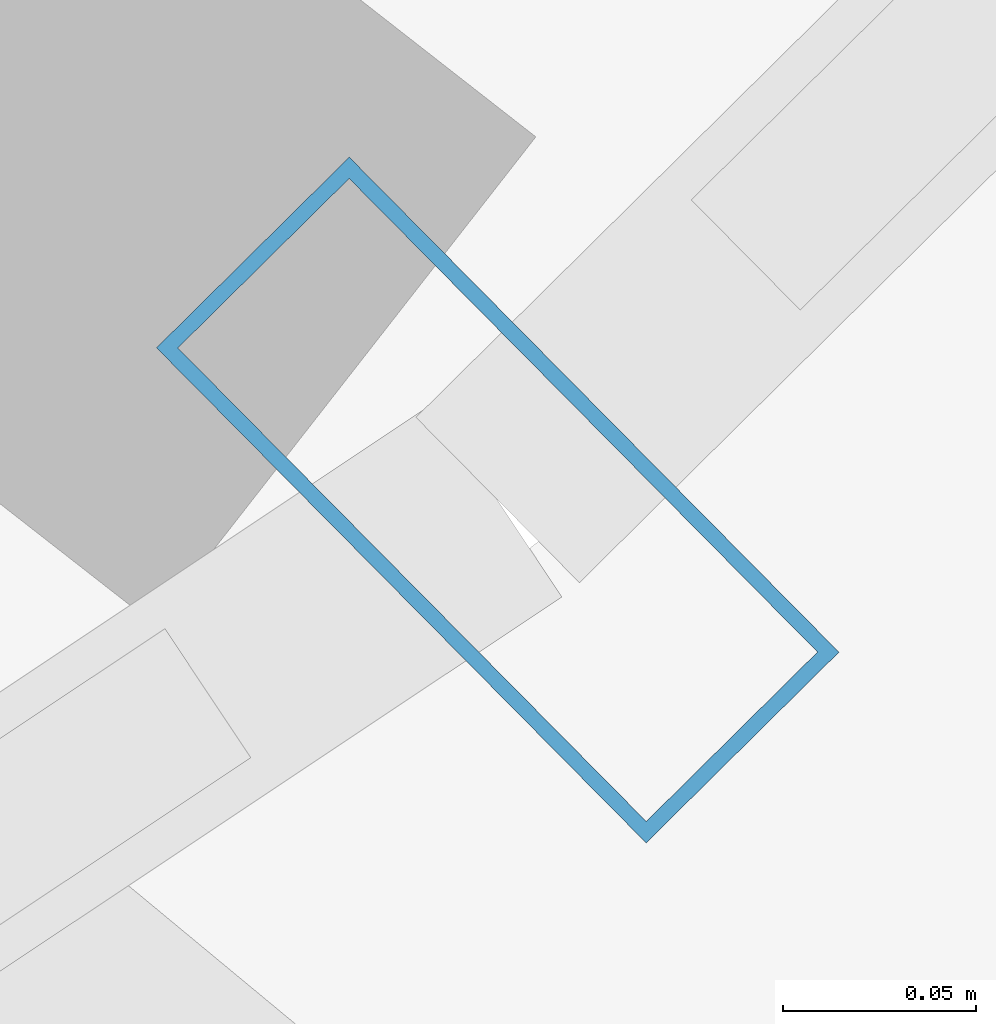
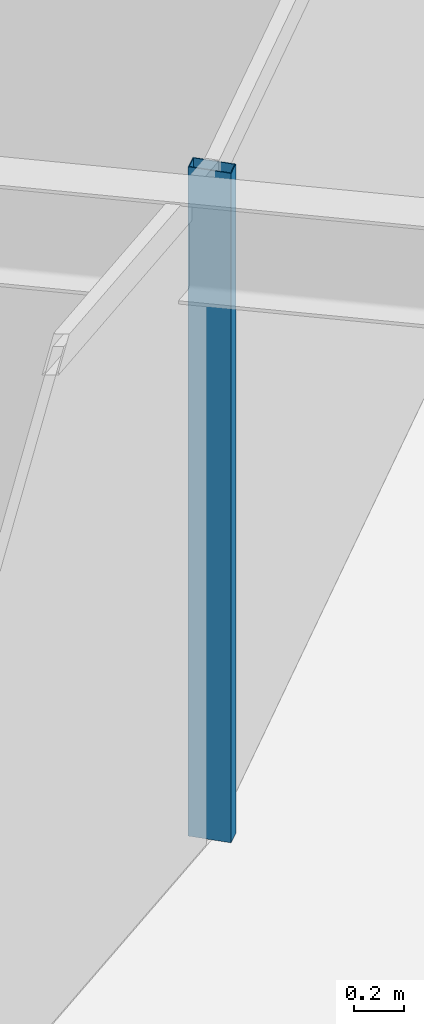
# One storey, part 7 of 21: 1 member, 1 element without a shape of its own.
"""IFC4 building model written with IfcOpenShell, lengths in metres."""

import ifcopenshell
import ifcopenshell.guid

model = None  # the IFC model being written
_history = None  # IfcOwnerHistory: only IFC2X3 demands one
_inside = {}  # id of a spatial element -> (the spatial element, [elements in it])
_under = {}  # id of a project, library or spatial element -> (it, [spatial elements below it])
_declared = {}  # id of a project -> (the project, [libraries it declares])
_typed = {}  # id of a type object -> (the type object, [elements of that type])
_made_of = {}  # id of a material, layer set ... -> (it, [elements and type objects made of it])


def new_model(schema):
    """Start an empty IFC model of exactly this schema.

    Asked for "IFC4X3", IfcOpenShell would pick the latest addendum, in which some entities
    have other attributes; the version numbers below select the first issue.
    IFC2X3 requires an IfcOwnerHistory on every rooted entity: one is made here for all.
    """
    global model, _history
    if schema == "IFC4X3":
        model = ifcopenshell.file(schema_version=(4, 3, 0, 0))
    else:
        model = ifcopenshell.file(schema=schema)
    _inside.clear()
    _under.clear()
    _declared.clear()
    _typed.clear()
    _made_of.clear()
    _history = None
    if model.schema == "IFC2X3":
        org = make("IfcOrganization", Name="unknown")
        user = make(
            "IfcPersonAndOrganization",
            ThePerson=make("IfcPerson", FamilyName="unknown"),
            TheOrganization=org,
        )
        app = make(
            "IfcApplication",
            ApplicationDeveloper=org,
            Version="unknown",
            ApplicationFullName="unknown",
            ApplicationIdentifier="unknown",
        )
        _history = make(
            "IfcOwnerHistory",
            OwningUser=user,
            OwningApplication=app,
            ChangeAction="ADDED",
            CreationDate=0,
        )
    return model


def make(cls, **values):
    """One entity of the class cls with the attributes given. An attribute that is None is left unset."""
    return model.create_entity(
        cls, **{name: value for name, value in values.items() if value is not None}
    )


def rooted(cls, **values):
    """An entity with a GlobalId (a new one), such as an element, a storey or a relation."""
    return make(cls, GlobalId=ifcopenshell.guid.new(), OwnerHistory=_history, **values)


def si_unit(unit_type, name, prefix=None):
    """IfcSIUnit, for example si_unit("LENGTHUNIT", "METRE", prefix="MILLI")."""
    return make("IfcSIUnit", UnitType=unit_type, Prefix=prefix, Name=name)


def assignment(units):
    """IfcUnitAssignment: the units of a project."""
    return None if units is None else make("IfcUnitAssignment", Units=units)


def point(xyz):
    """IfcCartesianPoint."""
    return None if xyz is None else make("IfcCartesianPoint", Coordinates=xyz)


def direction(xyz):
    """IfcDirection."""
    return None if xyz is None else make("IfcDirection", DirectionRatios=xyz)


def frame(location, z_axis=None, x_axis=None):
    """IfcAxis2Placement3D, a coordinate frame: its origin and axes. An axis left out is left unset."""
    return make(
        "IfcAxis2Placement3D",
        Location=point(location),
        Axis=direction(z_axis),
        RefDirection=direction(x_axis),
    )


def frame_2d(location, x_axis=None):
    """IfcAxis2Placement2D, a coordinate frame in the plane: its origin and x axis."""
    return make(
        "IfcAxis2Placement2D", Location=point(location), RefDirection=direction(x_axis)
    )


def origin():
    """The frame at (0, 0, 0) with its axes left unset."""
    return frame((0.0, 0.0, 0.0))


def origin_2d():
    """The frame at (0, 0) in the plane with its x axis left unset."""
    return frame_2d((0.0, 0.0))


def place(relative_to, where):
    """IfcLocalPlacement: puts the frame where relative to a parent placement (None: the world)."""
    return make(
        "IfcLocalPlacement", PlacementRelTo=relative_to, RelativePlacement=where
    )


def context(
    kind, dimensions, precision=None, world=None, true_north=None, identifier=None
):
    """IfcGeometricRepresentationContext, for example the 3D "Model" context."""
    return make(
        "IfcGeometricRepresentationContext",
        ContextIdentifier=identifier,
        ContextType=kind,
        CoordinateSpaceDimension=dimensions,
        Precision=precision,
        WorldCoordinateSystem=world,
        TrueNorth=true_north,
    )


def subcontext(parent, identifier, kind, view, scale=None):
    """IfcGeometricRepresentationSubContext, for example "Body" below "Model"."""
    return make(
        "IfcGeometricRepresentationSubContext",
        ContextIdentifier=identifier,
        ContextType=kind,
        ParentContext=parent,
        TargetScale=scale,
        TargetView=view,
    )


def project(units=None, contexts=None):
    """IfcProject with its units and contexts."""
    return rooted(
        "IfcProject",
        Name="project",
        RepresentationContexts=contexts,
        UnitsInContext=assignment(units),
    )


def spatial(cls, under=None, at=None, **own):
    """A site, building, storey or space (cls), placed at a placement, below another one or the project."""
    s = rooted(cls, ObjectPlacement=at, **own)
    if under is not None:
        _under.setdefault(under.id(), (under, []))[1].append(s)
    return s


def profile(cls, at=None, kind="AREA", **sizes):
    """A parametric profile (cls). Its sizes go by their IFC names, for example OverallWidth=200.0."""
    return make(cls, ProfileType=kind, Position=at, **sizes)


def hollow_rectangle(**sizes):
    """IfcRectangleHollowProfileDef."""
    return profile("IfcRectangleHollowProfileDef", **sizes)


def extrude(swept, where, along, depth):
    """IfcExtrudedAreaSolid: the profile swept, set in the frame where, extruded along a direction by depth."""
    return make(
        "IfcExtrudedAreaSolid",
        SweptArea=swept,
        Position=where,
        ExtrudedDirection=direction(along),
        Depth=depth,
    )


def shape(context_of_items, identifier, shape_type, items):
    """IfcShapeRepresentation: the items that make up one representation, for example the "Body"."""
    return make(
        "IfcShapeRepresentation",
        ContextOfItems=context_of_items,
        RepresentationIdentifier=identifier,
        RepresentationType=shape_type,
        Items=items,
    )


def material(Name=None, Category=None):
    """IfcMaterial."""
    return make("IfcMaterial", Name=Name, Category=Category)


def layer(
    of_material, thickness, ventilated=None, Name=None, Category=None, Priority=None
):
    """IfcMaterialLayer: one layer of a wall or slab, of a material (None: an air gap)."""
    return make(
        "IfcMaterialLayer",
        Material=of_material,
        LayerThickness=thickness,
        IsVentilated=ventilated,
        Name=Name,
        Category=Category,
        Priority=Priority,
    )


def layer_set(layers, Name=None):
    """IfcMaterialLayerSet."""
    return make("IfcMaterialLayerSet", MaterialLayers=layers, LayerSetName=Name)


def material_profile(
    of_material, cross_section, Name=None, Category=None, Priority=None
):
    """IfcMaterialProfile: a cross section and its material."""
    return make(
        "IfcMaterialProfile",
        Name=Name,
        Material=of_material,
        Profile=cross_section,
        Priority=Priority,
        Category=Category,
    )


def profile_set(profiles, Name=None, composite=None):
    """IfcMaterialProfileSet."""
    return make(
        "IfcMaterialProfileSet",
        Name=Name,
        MaterialProfiles=profiles,
        CompositeProfile=composite,
    )


def made_of(thing, what):
    """Note that an element or type object is made of a material, layer set ...; save() writes the relation."""
    if what is not None:
        _made_of.setdefault(what.id(), (what, []))[1].append(thing)
    return thing


def type_object(cls, material=None, **own):
    """A type object (cls), such as IfcWallType, which elements share."""
    return made_of(rooted(cls, **own), material)


def element(
    cls,
    number,
    at=None,
    inside=None,
    cuts=None,
    type_object=None,
    material=None,
    context=None,
    identifier="Body",
    shape_type=None,
    held_by="IfcProductDefinitionShape",
    body=None,
    shapes=None,
    **own,
):
    """One element of the class cls, such as IfcWall. Its Tag is "e" and its number.

    at: its placement. inside: the storey or other place that contains it. cuts: it is an
    opening in that element (IfcRelVoidsElement). A single representation is given by context,
    identifier, shape_type and body (its items); several are given by shapes. held_by: the class
    of the entity that holds the representations. save() writes the other relations.
    """
    e = rooted(cls, Tag="e%d" % number, ObjectPlacement=at, **own)
    if body is not None:
        shapes = [shape(context, identifier, shape_type, body)]
    if shapes is not None:
        e.Representation = make(held_by, Representations=shapes)
    if inside is not None:
        _inside.setdefault(inside.id(), (inside, []))[1].append(e)
    if cuts is not None:
        rooted(
            "IfcRelVoidsElement", RelatingBuildingElement=cuts, RelatedOpeningElement=e
        )
    if type_object is not None:
        _typed.setdefault(type_object.id(), (type_object, []))[1].append(e)
    return made_of(e, material)


def aggregate(whole, parts):
    """IfcRelAggregates: a whole, such as a stair, and the parts it consists of."""
    return rooted("IfcRelAggregates", RelatingObject=whole, RelatedObjects=parts)


def save(model, path):
    """Write the relations noted so far, then the file.

    IfcRelAggregates (storeys below a building ...), IfcRelContainedInSpatialStructure (elements
    in a storey), IfcRelDefinesByType, IfcRelAssociatesMaterial and IfcRelDeclares: one each for
    every whole, place, type object, material and project.
    """
    for whole, parts in _under.values():
        aggregate(whole, parts)
    for where, things in _inside.values():
        rooted(
            "IfcRelContainedInSpatialStructure",
            RelatedElements=things,
            RelatingStructure=where,
        )
    for kind, things in _typed.values():
        rooted("IfcRelDefinesByType", RelatedObjects=things, RelatingType=kind)
    for what, things in _made_of.values():
        rooted("IfcRelAssociatesMaterial", RelatedObjects=things, RelatingMaterial=what)
    for by, libraries in _declared.values():
        rooted("IfcRelDeclares", RelatingContext=by, RelatedDefinitions=libraries)
    model.write(path)


model = new_model("IFC4")

# Units and contexts
model_context = context("Model", 3, precision=1e-05, world=origin(), true_north=direction((0.0, 1.0)))
body_context = subcontext(model_context, "Body", "Model", "MODEL_VIEW")
ifc_project = project(units=[si_unit("LENGTHUNIT", "METRE"), si_unit("AREAUNIT", "SQUARE_METRE"), si_unit("VOLUMEUNIT", "CUBIC_METRE"), si_unit("PLANEANGLEUNIT", "RADIAN"), si_unit("MASSUNIT", "GRAM", prefix="KILO")], contexts=[model_context])

# Site, building, storey
site_placement = place(None, origin())
site = spatial("IfcSite", under=ifc_project, at=site_placement, CompositionType="ELEMENT")
building_placement = place(site_placement, origin())
building = spatial("IfcBuilding", under=site, at=building_placement, Name="Veldorina Hangang Commons", CompositionType="ELEMENT")
storey_placement = place(building_placement, frame((0.0, 0.0, 98.800048828125)))
storey = spatial("IfcBuildingStorey", under=building, at=storey_placement, Name="L25", CompositionType="ELEMENT", Elevation=98.800048828125)

# Curtain wall, member
ifc_material_1 = material(Name="Glass Low-E Triple IGU", Category="glass")
ifc_layer = layer(ifc_material_1, 0.179931640625)
ifc_layer_set = layer_set([ifc_layer], Name="Glass Low-E Triple IGU")
curtain_wall_type = type_object("IfcCurtainWallType", Name="CW-SYS-Z1", PredefinedType="NOTDEFINED", material=ifc_layer_set)
curtain_wall_placement = place(storey_placement, origin())
curtain_wall = element("IfcCurtainWall", 1, at=curtain_wall_placement, inside=storey, type_object=curtain_wall_type, Name="L25 unitised curtain wall CW-L25-R2", PredefinedType="NOTDEFINED")
ifc_material_2 = material(Name="Aluminium Anodized AA6063-T6", Category="aluminium")
ifc_material_profile = material_profile(ifc_material_2, hollow_rectangle(XDim=0.070068359375, YDim=0.179931640625, WallThickness=0.00390625, at=origin_2d()), Name="ALU-RHS-180x70x4")
ifc_profile_set = profile_set([ifc_material_profile], Name="Aluminium Anodized AA6063-T6")
member_type = type_object("IfcMemberType", Name="CW-MUL-180", PredefinedType="MULLION", material=ifc_profile_set)
member_placement = place(storey_placement, frame((50.62158203125, 8.883056640625, 0.0), z_axis=(0.0, 0.0, 1.0), x_axis=(0.710946776924, 0.703245817891, 0.0)))
member = element("IfcMember", 2, at=member_placement, type_object=member_type, Name="CW-L25-R2 vertical mullion 2", PredefinedType="MULLION", context=body_context, shape_type="SweptSolid", body=[
    extrude(hollow_rectangle(XDim=0.070068359375, YDim=0.179931640625, WallThickness=0.00390625, at=origin_2d()), origin(), (0.0, 0.0, 1.0), 3.300048828125),
])
aggregate(curtain_wall, [member])

save(model, "model.ifc")
